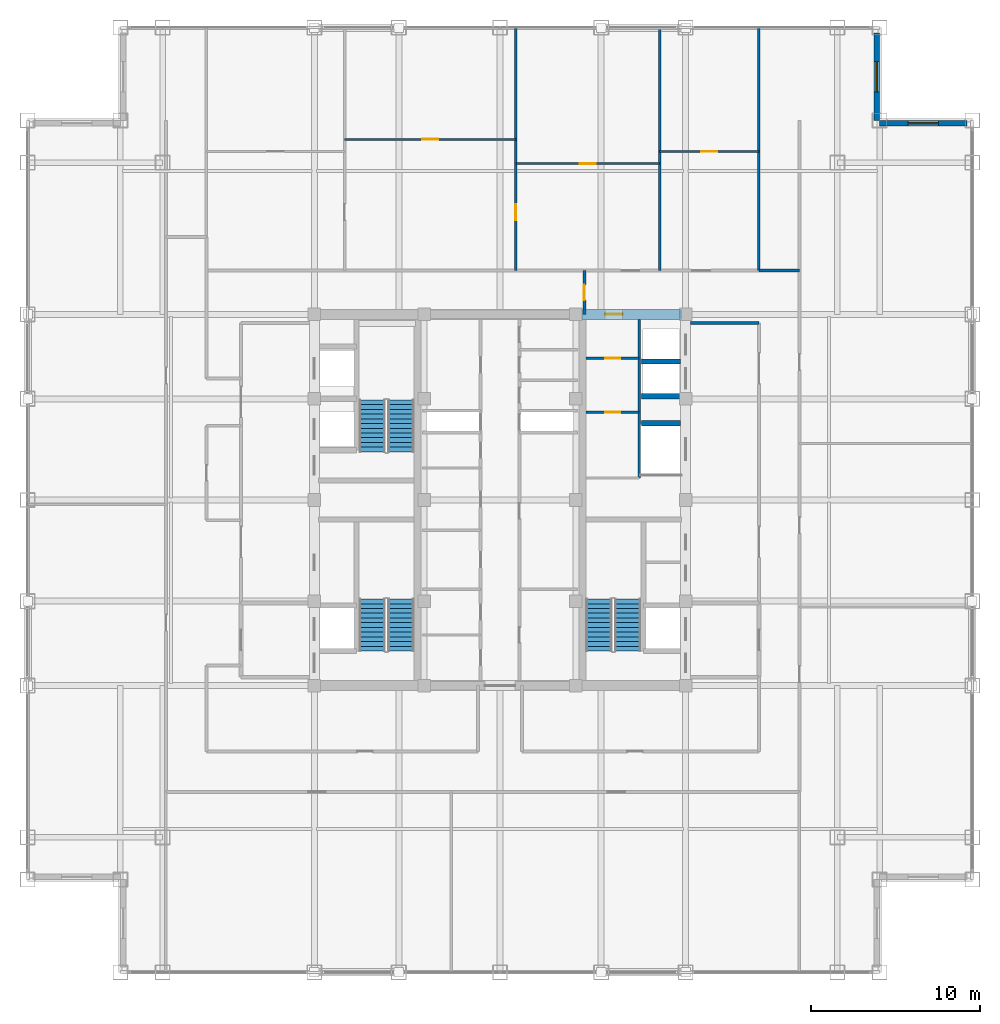
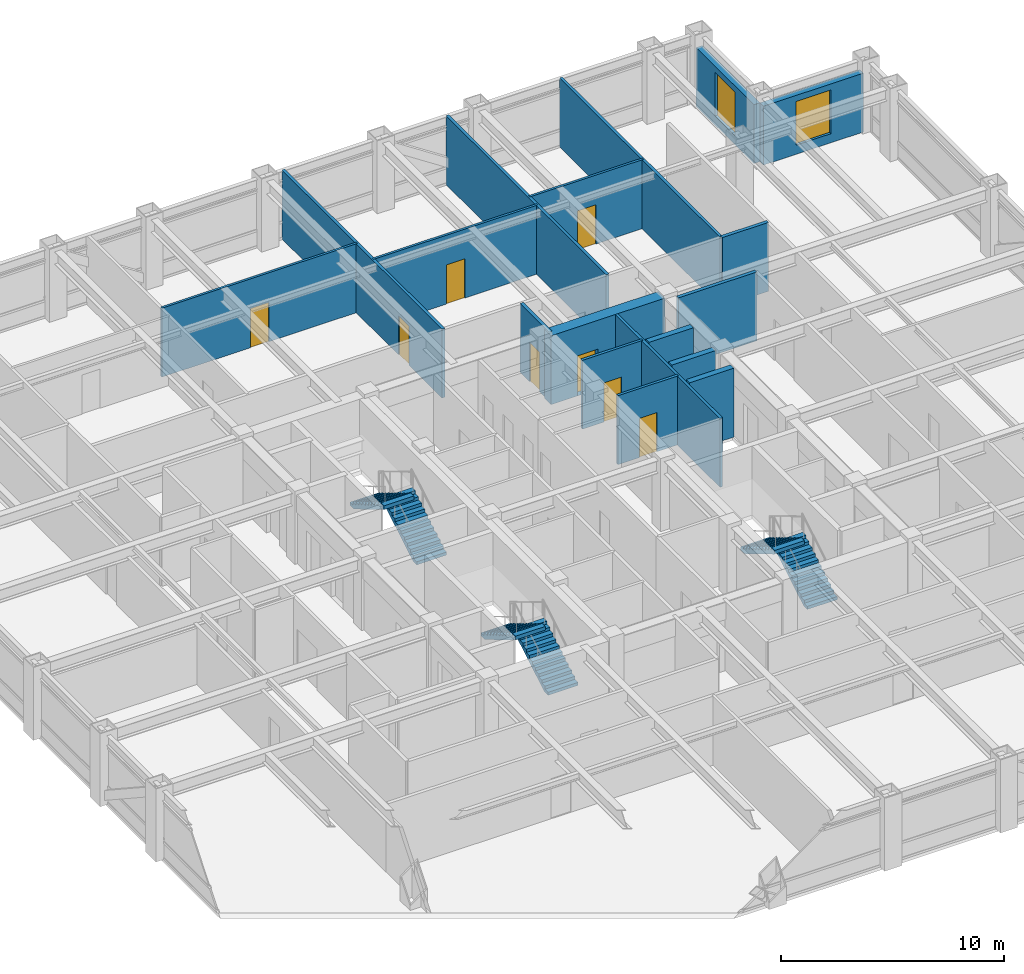
# One storey, part 21 of 22: 18 walls, 8 doors, 6 stair flights, 2 windows, 10 openings, 3 elements without a shape of their own.
"""IFC4 building model written with IfcOpenShell, lengths in metres."""

import ifcopenshell
import ifcopenshell.guid

model = None  # the IFC model being written
_history = None  # IfcOwnerHistory: only IFC2X3 demands one
_inside = {}  # id of a spatial element -> (the spatial element, [elements in it])
_under = {}  # id of a project, library or spatial element -> (it, [spatial elements below it])
_declared = {}  # id of a project -> (the project, [libraries it declares])
_typed = {}  # id of a type object -> (the type object, [elements of that type])
_made_of = {}  # id of a material, layer set ... -> (it, [elements and type objects made of it])


def new_model(schema):
    """Start an empty IFC model of exactly this schema.

    Asked for "IFC4X3", IfcOpenShell would pick the latest addendum, in which some entities
    have other attributes; the version numbers below select the first issue.
    IFC2X3 requires an IfcOwnerHistory on every rooted entity: one is made here for all.
    """
    global model, _history
    if schema == "IFC4X3":
        model = ifcopenshell.file(schema_version=(4, 3, 0, 0))
    else:
        model = ifcopenshell.file(schema=schema)
    _inside.clear()
    _under.clear()
    _declared.clear()
    _typed.clear()
    _made_of.clear()
    _history = None
    if model.schema == "IFC2X3":
        org = make("IfcOrganization", Name="unknown")
        user = make(
            "IfcPersonAndOrganization",
            ThePerson=make("IfcPerson", FamilyName="unknown"),
            TheOrganization=org,
        )
        app = make(
            "IfcApplication",
            ApplicationDeveloper=org,
            Version="unknown",
            ApplicationFullName="unknown",
            ApplicationIdentifier="unknown",
        )
        _history = make(
            "IfcOwnerHistory",
            OwningUser=user,
            OwningApplication=app,
            ChangeAction="ADDED",
            CreationDate=0,
        )
    return model


def make(cls, **values):
    """One entity of the class cls with the attributes given. An attribute that is None is left unset."""
    return model.create_entity(
        cls, **{name: value for name, value in values.items() if value is not None}
    )


def rooted(cls, **values):
    """An entity with a GlobalId (a new one), such as an element, a storey or a relation."""
    return make(cls, GlobalId=ifcopenshell.guid.new(), OwnerHistory=_history, **values)


def si_unit(unit_type, name, prefix=None):
    """IfcSIUnit, for example si_unit("LENGTHUNIT", "METRE", prefix="MILLI")."""
    return make("IfcSIUnit", UnitType=unit_type, Prefix=prefix, Name=name)


def assignment(units):
    """IfcUnitAssignment: the units of a project."""
    return None if units is None else make("IfcUnitAssignment", Units=units)


def point(xyz):
    """IfcCartesianPoint."""
    return None if xyz is None else make("IfcCartesianPoint", Coordinates=xyz)


def direction(xyz):
    """IfcDirection."""
    return None if xyz is None else make("IfcDirection", DirectionRatios=xyz)


def frame(location, z_axis=None, x_axis=None):
    """IfcAxis2Placement3D, a coordinate frame: its origin and axes. An axis left out is left unset."""
    return make(
        "IfcAxis2Placement3D",
        Location=point(location),
        Axis=direction(z_axis),
        RefDirection=direction(x_axis),
    )


def frame_2d(location, x_axis=None):
    """IfcAxis2Placement2D, a coordinate frame in the plane: its origin and x axis."""
    return make(
        "IfcAxis2Placement2D", Location=point(location), RefDirection=direction(x_axis)
    )


def origin():
    """The frame at (0, 0, 0) with its axes left unset."""
    return frame((0.0, 0.0, 0.0))


def place(relative_to, where):
    """IfcLocalPlacement: puts the frame where relative to a parent placement (None: the world)."""
    return make(
        "IfcLocalPlacement", PlacementRelTo=relative_to, RelativePlacement=where
    )


def context(
    kind, dimensions, precision=None, world=None, true_north=None, identifier=None
):
    """IfcGeometricRepresentationContext, for example the 3D "Model" context."""
    return make(
        "IfcGeometricRepresentationContext",
        ContextIdentifier=identifier,
        ContextType=kind,
        CoordinateSpaceDimension=dimensions,
        Precision=precision,
        WorldCoordinateSystem=world,
        TrueNorth=true_north,
    )


def subcontext(parent, identifier, kind, view, scale=None):
    """IfcGeometricRepresentationSubContext, for example "Body" below "Model"."""
    return make(
        "IfcGeometricRepresentationSubContext",
        ContextIdentifier=identifier,
        ContextType=kind,
        ParentContext=parent,
        TargetScale=scale,
        TargetView=view,
    )


def project(units=None, contexts=None):
    """IfcProject with its units and contexts."""
    return rooted(
        "IfcProject",
        Name="project",
        RepresentationContexts=contexts,
        UnitsInContext=assignment(units),
    )


def spatial(cls, under=None, at=None, **own):
    """A site, building, storey or space (cls), placed at a placement, below another one or the project."""
    s = rooted(cls, ObjectPlacement=at, **own)
    if under is not None:
        _under.setdefault(under.id(), (under, []))[1].append(s)
    return s


def polyline(points):
    """IfcPolyline through the points."""
    return make("IfcPolyline", Points=[point(p) for p in points])


def profile(cls, at=None, kind="AREA", **sizes):
    """A parametric profile (cls). Its sizes go by their IFC names, for example OverallWidth=200.0."""
    return make(cls, ProfileType=kind, Position=at, **sizes)


def rectangle(**sizes):
    """IfcRectangleProfileDef."""
    return profile("IfcRectangleProfileDef", **sizes)


def outline(outer, holes=None, kind="AREA"):
    """IfcArbitraryClosedProfileDef: a profile drawn as a closed curve; with holes, ...WithVoids."""
    if holes is None:
        return make("IfcArbitraryClosedProfileDef", ProfileType=kind, OuterCurve=outer)
    return make(
        "IfcArbitraryProfileDefWithVoids",
        ProfileType=kind,
        OuterCurve=outer,
        InnerCurves=holes,
    )


def extrude(swept, where, along, depth):
    """IfcExtrudedAreaSolid: the profile swept, set in the frame where, extruded along a direction by depth."""
    return make(
        "IfcExtrudedAreaSolid",
        SweptArea=swept,
        Position=where,
        ExtrudedDirection=direction(along),
        Depth=depth,
    )


def shape(context_of_items, identifier, shape_type, items):
    """IfcShapeRepresentation: the items that make up one representation, for example the "Body"."""
    return make(
        "IfcShapeRepresentation",
        ContextOfItems=context_of_items,
        RepresentationIdentifier=identifier,
        RepresentationType=shape_type,
        Items=items,
    )


def source(mapping_origin, context_of_items, identifier, shape_type, items):
    """IfcRepresentationMap: a shape defined once, which mapped items show again and again."""
    return make(
        "IfcRepresentationMap",
        MappingOrigin=mapping_origin,
        MappedRepresentation=shape(context_of_items, identifier, shape_type, items),
    )


def transform(
    local_origin,
    x_axis=None,
    y_axis=None,
    z_axis=None,
    scale=None,
    scale2=None,
    scale3=None,
    uniform=True,
):
    """IfcCartesianTransformationOperator3D, or its non-uniform kind. x_axis, y_axis, z_axis: its Axis1, 2, 3."""
    if uniform:
        return make(
            "IfcCartesianTransformationOperator3D",
            Axis1=direction(x_axis),
            Axis2=direction(y_axis),
            LocalOrigin=point(local_origin),
            Scale=scale,
            Axis3=direction(z_axis),
        )
    return make(
        "IfcCartesianTransformationOperator3DnonUniform",
        Axis1=direction(x_axis),
        Axis2=direction(y_axis),
        LocalOrigin=point(local_origin),
        Scale=scale,
        Axis3=direction(z_axis),
        Scale2=scale2,
        Scale3=scale3,
    )


def mapped(mapping_source, mapping_target):
    """IfcMappedItem: shows the shape of a source again, moved by a transform."""
    return make(
        "IfcMappedItem", MappingSource=mapping_source, MappingTarget=mapping_target
    )


def material(Name=None, Category=None):
    """IfcMaterial."""
    return make("IfcMaterial", Name=Name, Category=Category)


def layer(
    of_material, thickness, ventilated=None, Name=None, Category=None, Priority=None
):
    """IfcMaterialLayer: one layer of a wall or slab, of a material (None: an air gap)."""
    return make(
        "IfcMaterialLayer",
        Material=of_material,
        LayerThickness=thickness,
        IsVentilated=ventilated,
        Name=Name,
        Category=Category,
        Priority=Priority,
    )


def layer_set(layers, Name=None):
    """IfcMaterialLayerSet."""
    return make("IfcMaterialLayerSet", MaterialLayers=layers, LayerSetName=Name)


def made_of(thing, what):
    """Note that an element or type object is made of a material, layer set ...; save() writes the relation."""
    if what is not None:
        _made_of.setdefault(what.id(), (what, []))[1].append(thing)
    return thing


def type_object(cls, material=None, **own):
    """A type object (cls), such as IfcWallType, which elements share."""
    return made_of(rooted(cls, **own), material)


def element(
    cls,
    number,
    at=None,
    inside=None,
    cuts=None,
    type_object=None,
    material=None,
    context=None,
    identifier="Body",
    shape_type=None,
    held_by="IfcProductDefinitionShape",
    body=None,
    shapes=None,
    **own,
):
    """One element of the class cls, such as IfcWall. Its Tag is "e" and its number.

    at: its placement. inside: the storey or other place that contains it. cuts: it is an
    opening in that element (IfcRelVoidsElement). A single representation is given by context,
    identifier, shape_type and body (its items); several are given by shapes. held_by: the class
    of the entity that holds the representations. save() writes the other relations.
    """
    e = rooted(cls, Tag="e%d" % number, ObjectPlacement=at, **own)
    if body is not None:
        shapes = [shape(context, identifier, shape_type, body)]
    if shapes is not None:
        e.Representation = make(held_by, Representations=shapes)
    if inside is not None:
        _inside.setdefault(inside.id(), (inside, []))[1].append(e)
    if cuts is not None:
        rooted(
            "IfcRelVoidsElement", RelatingBuildingElement=cuts, RelatedOpeningElement=e
        )
    if type_object is not None:
        _typed.setdefault(type_object.id(), (type_object, []))[1].append(e)
    return made_of(e, material)


def fill(opening, filler):
    """IfcRelFillsElement: the door or window that sits in an opening."""
    return rooted(
        "IfcRelFillsElement",
        RelatingOpeningElement=opening,
        RelatedBuildingElement=filler,
    )


def aggregate(whole, parts):
    """IfcRelAggregates: a whole, such as a stair, and the parts it consists of."""
    return rooted("IfcRelAggregates", RelatingObject=whole, RelatedObjects=parts)


def save(model, path):
    """Write the relations noted so far, then the file.

    IfcRelAggregates (storeys below a building ...), IfcRelContainedInSpatialStructure (elements
    in a storey), IfcRelDefinesByType, IfcRelAssociatesMaterial and IfcRelDeclares: one each for
    every whole, place, type object, material and project.
    """
    for whole, parts in _under.values():
        aggregate(whole, parts)
    for where, things in _inside.values():
        rooted(
            "IfcRelContainedInSpatialStructure",
            RelatedElements=things,
            RelatingStructure=where,
        )
    for kind, things in _typed.values():
        rooted("IfcRelDefinesByType", RelatedObjects=things, RelatingType=kind)
    for what, things in _made_of.values():
        rooted("IfcRelAssociatesMaterial", RelatedObjects=things, RelatingMaterial=what)
    for by, libraries in _declared.values():
        rooted("IfcRelDeclares", RelatingContext=by, RelatedDefinitions=libraries)
    model.write(path)


model = new_model("IFC4")

# Units and contexts
model_context = context("Model", 3, precision=1e-05, world=origin(), true_north=direction((0.0, 1.0)))
body_context = subcontext(model_context, "Body", "Model", "MODEL_VIEW")
ifc_project = project(units=[si_unit("LENGTHUNIT", "METRE"), si_unit("AREAUNIT", "SQUARE_METRE"), si_unit("VOLUMEUNIT", "CUBIC_METRE"), si_unit("PLANEANGLEUNIT", "RADIAN"), si_unit("MASSUNIT", "GRAM", prefix="KILO")], contexts=[model_context])

# Site, building, storey
site_placement = place(None, origin())
site = spatial("IfcSite", under=ifc_project, at=site_placement, CompositionType="ELEMENT")
building_placement = place(site_placement, origin())
building = spatial("IfcBuilding", under=site, at=building_placement, Name="Khorayat Bourse Tower", CompositionType="ELEMENT")
storey_placement = place(building_placement, frame((0.0, 0.0, 309.5)))
storey = spatial("IfcBuildingStorey", under=building, at=storey_placement, Name="L73", CompositionType="ELEMENT", Elevation=309.5)

# Wall, opening, door
ifc_material_1 = material(Name="Concrete C60/75", Category="concrete")
ifc_layer_1 = layer(ifc_material_1, 0.60009765625)
ifc_layer_set_1 = layer_set([ifc_layer_1], Name="Concrete C60/75")
wall_type_1 = type_object("IfcWallType", Name="WAL-CORE-600", PredefinedType="SHEAR", material=ifc_layer_set_1)
shared_shape_1 = source(origin(), body_context, "Body", "SweptSolid", [
    extrude(rectangle(XDim=5.89990234375, YDim=0.60009765625, at=frame_2d((2.949951171875, 0.0))), origin(), (0.0, 0.0, 1.0), 3.780029296875),
])
wall_1_placement = place(storey_placement, frame((4.85009765625, 11.0, 0.0), z_axis=(0.0, 0.0, 1.0), x_axis=(1.0, 0.0, 0.0)))
wall_1 = element("IfcWall", 1, at=wall_1_placement, inside=storey, type_object=wall_type_1, Name="L73 Core Shear Wall PIER-EN", PredefinedType="SHEAR", context=body_context, shape_type="MappedRepresentation", body=[
    mapped(shared_shape_1, transform((0.0, 0.0, 0.0), scale=1.0)),
])
shared_shape_2 = source(origin(), body_context, "Body", "SweptSolid", [
    extrude(rectangle(XDim=1.050048828125, YDim=2.199951171875, at=frame_2d((0.52490234375, 1.10009765625))), frame((0.0, 0.31005859375, 0.0), z_axis=(0.0, -1.0, 0.0), x_axis=(1.0, 0.0, 0.0)), (0.0, 0.0, 1.0), 0.6201171875),
])
opening_1_placement = place(wall_1_placement, frame((1.375, 0.0, 0.0)))
opening_1 = element("IfcOpeningElement", 2, at=opening_1_placement, cuts=wall_1, Name="Opening DI-04", PredefinedType="OPENING", context=body_context, shape_type="MappedRepresentation", body=[
    mapped(shared_shape_2, transform((0.0, 0.0, 0.0), scale=1.0)),
])
ifc_material_2 = material(Name="Fire-rated oak veneer suite entrance door")
door_type_1 = type_object("IfcDoorType", Name="DR-INT-SUITE-1050", OperationType="NOTDEFINED", PredefinedType="DOOR", material=ifc_material_2)
shared_shape_3 = source(origin(), body_context, "Body", "SweptSolid", [
    extrude(rectangle(XDim=1.050048828125, YDim=2.199951171875, at=frame_2d((0.52490234375, 1.10009765625))), frame((0.0, 0.02490234375, 0.0), z_axis=(0.0, -1.0, 0.0), x_axis=(1.0, 0.0, 0.0)), (0.0, 0.0, 1.0), 0.050048828125),
])
door_1_placement = place(opening_1_placement, origin())
door_1 = element("IfcDoor", 3, at=door_1_placement, inside=storey, type_object=door_type_1, Name="L73 Core Washroom Lobby Door", OperationType="SINGLE_SWING_LEFT", OverallHeight=2.199951171875, OverallWidth=1.050048828125, PredefinedType="DOOR", context=body_context, shape_type="MappedRepresentation", body=[
    mapped(shared_shape_3, transform((0.0, 0.0, 0.0), scale=1.0)),
])
fill(opening_1, door_1)

# Wall, opening, window
ifc_material_3 = material(Name="Precast concrete C45/55", Category="concrete")
ifc_layer_2 = layer(ifc_material_3, 0.320068359375)
ifc_layer_set_2 = layer_set([ifc_layer_2], Name="Precast concrete C45/55")
wall_type_2 = type_object("IfcWallType", Name="WAL-EXT-STONE-320", PredefinedType="STANDARD", material=ifc_layer_set_2)
shared_shape_4 = source(origin(), body_context, "Body", "SweptSolid", [
    extrude(rectangle(XDim=5.179931640625, YDim=0.320068359375, at=frame_2d((2.58984375, 0.0))), origin(), (0.0, 0.0, 1.0), 3.23095703125),
])
wall_2_placement = place(storey_placement, frame((22.5, 22.340087890625, 0.0), z_axis=(0.0, 0.0, 1.0), x_axis=(1.0, 0.0, 0.0)))
wall_2 = element("IfcWall", 4, at=wall_2_placement, inside=storey, type_object=wall_type_2, Name="L73 Re-Entrant Notch Limestone Wall NE-H", PredefinedType="STANDARD", context=body_context, shape_type="MappedRepresentation", body=[
    mapped(shared_shape_4, transform((0.0, 0.0, 0.0), scale=1.0)),
])
shared_shape_5 = source(origin(), body_context, "Body", "SweptSolid", [
    extrude(rectangle(XDim=1.800048828125, YDim=2.39990234375, at=frame_2d((0.89990234375, 1.199951171875))), frame((0.0, 0.169921875, 0.0), z_axis=(0.0, -1.0, 0.0), x_axis=(1.0, 0.0, 0.0)), (0.0, 0.0, 1.0), 0.340087890625),
])
opening_2_placement = place(wall_2_placement, frame((1.68994140625, 0.0, 0.5)))
opening_2 = element("IfcOpeningElement", 5, at=opening_2_placement, cuts=wall_2, Name="Opening WN-04", PredefinedType="OPENING", context=body_context, shape_type="MappedRepresentation", body=[
    mapped(shared_shape_5, transform((0.0, 0.0, 0.0), scale=1.0)),
])
ifc_material_4 = material(Name="Low-E acoustic laminated double glazing", Category="glass")
window_type = type_object("IfcWindowType", Name="WIN-NOTCH-1800x2400", PartitioningType="SINGLE_PANEL", PredefinedType="WINDOW", material=ifc_material_4)
shared_shape_6 = source(origin(), body_context, "Body", "SweptSolid", [
    extrude(rectangle(XDim=1.800048828125, YDim=2.39990234375, at=frame_2d((0.89990234375, 1.199951171875))), frame((0.0, 0.030029296875, 0.0), z_axis=(0.0, -1.0, 0.0), x_axis=(1.0, 0.0, 0.0)), (0.0, 0.0, 1.0), 0.06005859375),
])
window_1_placement = place(opening_2_placement, origin())
window_1 = element("IfcWindow", 6, at=window_1_placement, inside=storey, type_object=window_type, Name="L73 Facade Window 1", OverallHeight=2.39990234375, OverallWidth=1.800048828125, PartitioningType="SINGLE_PANEL", PredefinedType="WINDOW", context=body_context, shape_type="MappedRepresentation", body=[
    mapped(shared_shape_6, transform((0.0, 0.0, 0.0), scale=1.0)),
])
fill(opening_2, window_1)

wall_3_placement = place(storey_placement, frame((22.340087890625, 22.5, 0.0), z_axis=(0.0, 0.0, 1.0), x_axis=(0.0, 1.0, 0.0)))
wall_3 = element("IfcWall", 7, at=wall_3_placement, inside=storey, type_object=wall_type_2, Name="L73 Re-Entrant Notch Limestone Wall NE-V", PredefinedType="STANDARD", context=body_context, shape_type="MappedRepresentation", body=[
    mapped(shared_shape_4, transform((0.0, 0.0, 0.0), scale=1.0)),
])
opening_3_placement = place(wall_3_placement, frame((1.68994140625, 0.0, 0.5)))
opening_3 = element("IfcOpeningElement", 8, at=opening_3_placement, cuts=wall_3, Name="Opening WN-04", PredefinedType="OPENING", context=body_context, shape_type="MappedRepresentation", body=[
    mapped(shared_shape_5, transform((0.0, 0.0, 0.0), scale=1.0)),
])
window_2_placement = place(opening_3_placement, origin())
window_2 = element("IfcWindow", 9, at=window_2_placement, inside=storey, type_object=window_type, Name="L73 Facade Window 1", OverallHeight=2.39990234375, OverallWidth=1.800048828125, PartitioningType="SINGLE_PANEL", PredefinedType="WINDOW", context=body_context, shape_type="MappedRepresentation", body=[
    mapped(shared_shape_6, transform((0.0, 0.0, 0.0), scale=1.0)),
])
fill(opening_3, window_2)

# Walls
ifc_material_5 = material(Name="Concrete C50/60", Category="concrete")
ifc_layer_3 = layer(ifc_material_5, 0.300048828125)
ifc_layer_set_3 = layer_set([ifc_layer_3], Name="Concrete C50/60")
wall_type_3 = type_object("IfcWallType", Name="WAL-SHAFT-300", PredefinedType="SHEAR", material=ifc_layer_set_3)
shared_shape_7 = source(origin(), body_context, "Body", "SweptSolid", [
    extrude(rectangle(XDim=2.300048828125, YDim=0.300048828125, at=frame_2d((1.14990234375, 0.0))), origin(), (0.0, 0.0, 1.0), 3.780029296875),
])
for number, where, z_axis, x_axis, name in (
    (10, (8.39990234375, 4.550048828125, 0.0), (0.0, 0.0, 1.0), (1.0, 0.0, 0.0), "L73 Partition WAL-L73-EPIER-SVLN"),
    (11, (8.39990234375, 6.14990234375, 0.0), (0.0, 0.0, 1.0), (1.0, 0.0, 0.0), "L73 Partition WAL-L73-EPIER-H3S"),
    (12, (8.39990234375, 8.199951171875, 0.0), (0.0, 0.0, 1.0), (1.0, 0.0, 0.0), "L73 Partition WAL-L73-EPIER-H34"),
):
    element("IfcWall", number, at=place(storey_placement, frame(where, z_axis=z_axis, x_axis=x_axis)), inside=storey, type_object=wall_type_3, Name=name, PredefinedType="SHEAR", context=body_context, shape_type="MappedRepresentation", body=[
        mapped(shared_shape_7, transform((0.0, 0.0, 0.0), scale=1.0)),
    ])
ifc_material_6 = material(Name="Moisture-resistant masonry partition", Category="masonry")
ifc_layer_4 = layer(ifc_material_6, 0.139892578125)
ifc_layer_set_4 = layer_set([ifc_layer_4], Name="Moisture-resistant masonry partition")
wall_type_4 = type_object("IfcWallType", Name="WAL-PART-WET-140", PredefinedType="PARTITIONING", material=ifc_layer_set_4)
shared_shape_8 = source(origin(), body_context, "Body", "SweptSolid", [
    extrude(rectangle(XDim=9.39990234375, YDim=0.139892578125, at=frame_2d((4.699951171875, 0.0))), origin(), (0.0, 0.0, 1.0), 3.780029296875),
])
wall_4_placement = place(storey_placement, frame((8.25, 1.300048828125, 0.0), z_axis=(0.0, 0.0, 1.0), x_axis=(0.0, 1.0, 0.0)))
element("IfcWall", 13, at=wall_4_placement, inside=storey, type_object=wall_type_4, Name="L73 Partition WAL-L73-ECORE-E", PredefinedType="PARTITIONING", context=body_context, shape_type="MappedRepresentation", body=[
    mapped(shared_shape_8, transform((0.0, 0.0, 0.0), scale=1.0)),
])

# Wall, opening, door
shared_shape_9 = source(origin(), body_context, "Body", "SweptSolid", [
    extrude(rectangle(XDim=3.14990234375, YDim=0.139892578125, at=frame_2d((1.574951171875, 0.0))), origin(), (0.0, 0.0, 1.0), 3.780029296875),
])
wall_5_placement = place(storey_placement, frame((5.10009765625, 8.39990234375, 0.0), z_axis=(0.0, 0.0, 1.0), x_axis=(1.0, 0.0, 0.0)))
wall_5 = element("IfcWall", 14, at=wall_5_placement, inside=storey, type_object=wall_type_4, Name="L73 Partition WAL-L73-ECW-TOP", PredefinedType="PARTITIONING", context=body_context, shape_type="MappedRepresentation", body=[
    mapped(shared_shape_9, transform((0.0, 0.0, 0.0), scale=1.0)),
])
shared_shape_10 = source(origin(), body_context, "Body", "SweptSolid", [
    extrude(rectangle(XDim=0.89990234375, YDim=2.14990234375, at=frame_2d((0.449951171875, 1.074951171875))), frame((0.0, 0.079833984375, 0.0), z_axis=(0.0, -1.0, 0.0), x_axis=(1.0, 0.0, 0.0)), (0.0, 0.0, 1.0), 0.159912109375),
])
opening_4_placement = place(wall_5_placement, frame((1.1298828125, 0.0, 0.0)))
opening_4 = element("IfcOpeningElement", 15, at=opening_4_placement, cuts=wall_5, Name="Opening DI-06", PredefinedType="OPENING", context=body_context, shape_type="MappedRepresentation", body=[
    mapped(shared_shape_10, transform((0.0, 0.0, 0.0), scale=1.0)),
])
ifc_material_7 = material(Name="Moisture-resistant laminate washroom door")
door_type_2 = type_object("IfcDoorType", Name="DR-INT-WC-900", OperationType="NOTDEFINED", PredefinedType="DOOR", material=ifc_material_7)
shared_shape_11 = source(origin(), body_context, "Body", "SweptSolid", [
    extrude(rectangle(XDim=0.89990234375, YDim=2.14990234375, at=frame_2d((0.449951171875, 1.074951171875))), frame((0.0, 0.02490234375, 0.0), z_axis=(0.0, -1.0, 0.0), x_axis=(1.0, 0.0, 0.0)), (0.0, 0.0, 1.0), 0.050048828125),
])
door_2_placement = place(opening_4_placement, origin())
door_2 = element("IfcDoor", 16, at=door_2_placement, inside=storey, type_object=door_type_2, Name="L73 Accessible WC Door", OperationType="SINGLE_SWING_LEFT", OverallHeight=2.14990234375, OverallWidth=0.89990234375, PredefinedType="DOOR", context=body_context, shape_type="MappedRepresentation", body=[
    mapped(shared_shape_11, transform((0.0, 0.0, 0.0), scale=1.0)),
])
fill(opening_4, door_2)

wall_6_placement = place(storey_placement, frame((5.10009765625, 5.199951171875, 0.0), z_axis=(0.0, 0.0, 1.0), x_axis=(1.0, 0.0, 0.0)))
wall_6 = element("IfcWall", 17, at=wall_6_placement, inside=storey, type_object=wall_type_4, Name="L73 Partition WAL-L73-ECW-HZ", PredefinedType="PARTITIONING", context=body_context, shape_type="MappedRepresentation", body=[
    mapped(shared_shape_9, transform((0.0, 0.0, 0.0), scale=1.0)),
])
opening_5_placement = place(wall_6_placement, frame((1.1298828125, 0.0, 0.0)))
opening_5 = element("IfcOpeningElement", 18, at=opening_5_placement, cuts=wall_6, Name="Opening DI-06", PredefinedType="OPENING", context=body_context, shape_type="MappedRepresentation", body=[
    mapped(shared_shape_10, transform((0.0, 0.0, 0.0), scale=1.0)),
])
door_3_placement = place(opening_5_placement, origin())
door_3 = element("IfcDoor", 19, at=door_3_placement, inside=storey, type_object=door_type_2, Name="L73 Shared Washroom Door", OperationType="SINGLE_SWING_RIGHT", OverallHeight=2.14990234375, OverallWidth=0.89990234375, PredefinedType="DOOR", context=body_context, shape_type="MappedRepresentation", body=[
    mapped(shared_shape_11, transform((0.0, 0.0, 0.0), scale=1.0)),
])
fill(opening_5, door_3)

# Wall
ifc_material_8 = material(Name="Gypsum plasterboard acoustic stud wall")
ifc_layer_5 = layer(ifc_material_8, 0.179931640625)
ifc_layer_set_5 = layer_set([ifc_layer_5], Name="Gypsum plasterboard acoustic stud wall")
wall_type_5 = type_object("IfcWallType", Name="WAL-PART-CORR-180", PredefinedType="PARTITIONING", material=ifc_layer_set_5)
shared_shape_12 = source(origin(), body_context, "Body", "SweptSolid", [
    extrude(rectangle(XDim=4.050048828125, YDim=0.179931640625, at=frame_2d((2.02490234375, 0.0))), origin(), (0.0, 0.0, 1.0), 3.780029296875),
])
wall_7_placement = place(storey_placement, frame((11.300048828125, 10.5, 0.0), z_axis=(0.0, 0.0, 1.0), x_axis=(1.0, 0.0, 0.0)))
element("IfcWall", 20, at=wall_7_placement, inside=storey, type_object=wall_type_5, Name="L73 Partition WAL-L73-ELOB-N", PredefinedType="PARTITIONING", context=body_context, shape_type="MappedRepresentation", body=[
    mapped(shared_shape_12, transform((0.0, 0.0, 0.0), scale=1.0)),
])

# Wall, opening, door
shared_shape_13 = source(origin(), body_context, "Body", "SweptSolid", [
    extrude(rectangle(XDim=2.60009765625, YDim=0.179931640625, at=frame_2d((1.300048828125, 0.0))), origin(), (0.0, 0.0, 1.0), 3.780029296875),
])
wall_8_placement = place(storey_placement, frame((5.0, 11.0, 0.0), z_axis=(0.0, 0.0, 1.0), x_axis=(0.0, 1.0, 0.0)))
wall_8 = element("IfcWall", 21, at=wall_8_placement, inside=storey, type_object=wall_type_5, Name="L73 Partition WAL-L73-CORRNE-W", PredefinedType="PARTITIONING", context=body_context, shape_type="MappedRepresentation", body=[
    mapped(shared_shape_13, transform((0.0, 0.0, 0.0), scale=1.0)),
])
shared_shape_14 = source(origin(), body_context, "Body", "SweptSolid", [
    extrude(rectangle(XDim=0.89990234375, YDim=2.14990234375, at=frame_2d((0.449951171875, 1.074951171875))), frame((0.0, 0.099853515625, 0.0), z_axis=(0.0, -1.0, 0.0), x_axis=(1.0, 0.0, 0.0)), (0.0, 0.0, 1.0), 0.199951171875),
])
opening_6_placement = place(wall_8_placement, frame((0.85009765625, 0.0, 0.0)))
opening_6 = element("IfcOpeningElement", 22, at=opening_6_placement, cuts=wall_8, Name="Opening DI-06", PredefinedType="OPENING", context=body_context, shape_type="MappedRepresentation", body=[
    mapped(shared_shape_14, transform((0.0, 0.0, 0.0), scale=1.0)),
])
door_4_placement = place(opening_6_placement, origin())
door_4 = element("IfcDoor", 23, at=door_4_placement, inside=storey, type_object=door_type_2, Name="L73 North Core Pantry Door", OperationType="SINGLE_SWING_LEFT", OverallHeight=2.14990234375, OverallWidth=0.89990234375, PredefinedType="DOOR", context=body_context, shape_type="MappedRepresentation", body=[
    mapped(shared_shape_11, transform((0.0, 0.0, 0.0), scale=1.0)),
])
fill(opening_6, door_4)

# Wall
shared_shape_15 = source(origin(), body_context, "Body", "SweptSolid", [
    extrude(rectangle(XDim=2.39990234375, YDim=0.179931640625, at=frame_2d((1.199951171875, 0.0))), origin(), (0.0, 0.0, 1.0), 3.780029296875),
])
wall_9_placement = place(storey_placement, frame((15.35009765625, 13.60009765625, 0.0), z_axis=(0.0, 0.0, 1.0), x_axis=(1.0, 0.0, 0.0)))
element("IfcWall", 24, at=wall_9_placement, inside=storey, type_object=wall_type_5, Name="L73 Partition WAL-L73-GALE-N", PredefinedType="PARTITIONING", context=body_context, shape_type="MappedRepresentation", body=[
    mapped(shared_shape_15, transform((0.0, 0.0, 0.0), scale=1.0)),
])

# Wall, opening, door
ifc_material_9 = material(Name="Gypsum plasterboard twin-frame partition")
ifc_layer_6 = layer(ifc_material_9, 0.14990234375)
ifc_layer_set_6 = layer_set([ifc_layer_6], Name="Gypsum plasterboard twin-frame partition")
wall_type_6 = type_object("IfcWallType", Name="WAL-PART-SUITE-150", PredefinedType="PARTITIONING", material=ifc_layer_set_6)
shared_shape_16 = source(origin(), body_context, "Body", "SweptSolid", [
    extrude(rectangle(XDim=14.39990234375, YDim=0.14990234375, at=frame_2d((7.199951171875, 0.0))), origin(), (0.0, 0.0, 1.0), 3.780029296875),
])
wall_10_placement = place(storey_placement, frame((0.93994140625, 13.60009765625, 0.0), z_axis=(0.0, 0.0, 1.0), x_axis=(0.0, 1.0, 0.0)))
wall_10 = element("IfcWall", 25, at=wall_10_placement, inside=storey, type_object=wall_type_6, Name="L73 Partition WAL-L73-NDV-2", PredefinedType="PARTITIONING", context=body_context, shape_type="MappedRepresentation", body=[
    mapped(shared_shape_16, transform((0.0, 0.0, 0.0), scale=1.0)),
])
shared_shape_17 = source(origin(), body_context, "Body", "SweptSolid", [
    extrude(rectangle(XDim=0.949951171875, YDim=2.14990234375, at=frame_2d((0.47509765625, 1.074951171875))), frame((0.0, 0.0849609375, 0.0), z_axis=(0.0, -1.0, 0.0), x_axis=(1.0, 0.0, 0.0)), (0.0, 0.0, 1.0), 0.169921875),
])
opening_7_placement = place(wall_10_placement, frame((2.98095703125, 0.0, 0.0)))
opening_7 = element("IfcOpeningElement", 26, at=opening_7_placement, cuts=wall_10, Name="Opening DI-05", PredefinedType="OPENING", context=body_context, shape_type="MappedRepresentation", body=[
    mapped(shared_shape_17, transform((0.0, 0.0, 0.0), scale=1.0)),
])
ifc_material_10 = material(Name="Acoustic oak veneer office door")
door_type_3 = type_object("IfcDoorType", Name="DR-INT-OFFICE-950", OperationType="NOTDEFINED", PredefinedType="DOOR", material=ifc_material_10)
shared_shape_18 = source(origin(), body_context, "Body", "SweptSolid", [
    extrude(rectangle(XDim=0.949951171875, YDim=2.14990234375, at=frame_2d((0.47509765625, 1.074951171875))), frame((0.0, 0.02490234375, 0.0), z_axis=(0.0, -1.0, 0.0), x_axis=(1.0, 0.0, 0.0)), (0.0, 0.0, 1.0), 0.050048828125),
])
door_5_placement = place(opening_7_placement, origin())
door_5 = element("IfcDoor", 27, at=door_5_placement, inside=storey, type_object=door_type_3, Name="L73 N Suite Link 2", OperationType="SINGLE_SWING_LEFT", OverallHeight=2.14990234375, OverallWidth=0.949951171875, PredefinedType="DOOR", context=body_context, shape_type="MappedRepresentation", body=[
    mapped(shared_shape_18, transform((0.0, 0.0, 0.0), scale=1.0)),
])
fill(opening_7, door_5)

# Walls
for number, where, z_axis, x_axis, name in (
    (28, (9.455078125, 13.60009765625, 0.0), (0.0, 0.0, 1.0), (0.0, 1.0, 0.0), "L73 Partition WAL-L73-NDV-3"),
    (29, (15.35009765625, 13.60009765625, 0.0), (0.0, 0.0, 1.0), (0.0, 1.0, 0.0), "L73 Partition WAL-L73-NCE-END"),
):
    element("IfcWall", number, at=place(storey_placement, frame(where, z_axis=z_axis, x_axis=x_axis)), inside=storey, type_object=wall_type_6, Name=name, PredefinedType="PARTITIONING", context=body_context, shape_type="MappedRepresentation", body=[
        mapped(shared_shape_16, transform((0.0, 0.0, 0.0), scale=1.0)),
    ])

# Wall, opening, door
ifc_material_11 = material(Name="Gypsum plasterboard partition")
ifc_layer_7 = layer(ifc_material_11, 0.125)
ifc_layer_set_7 = layer_set([ifc_layer_7], Name="Gypsum plasterboard partition")
wall_type_7 = type_object("IfcWallType", Name="WAL-PART-ROOM-125", PredefinedType="PARTITIONING", material=ifc_layer_set_7)
shared_shape_19 = source(origin(), body_context, "Body", "SweptSolid", [
    extrude(rectangle(XDim=10.15234375, YDim=0.125, at=frame_2d((5.076171875, 0.0))), origin(), (0.0, 0.0, 1.0), 3.780029296875),
])
wall_11_placement = place(storey_placement, frame((-9.21240234375, 21.3759765625, 0.0), z_axis=(0.0, 0.0, 1.0), x_axis=(1.0, 0.0, 0.0)))
wall_11 = element("IfcWall", 30, at=wall_11_placement, inside=storey, type_object=wall_type_7, Name="L73 Partition WAL-L73-NDP-2", PredefinedType="PARTITIONING", context=body_context, shape_type="MappedRepresentation", body=[
    mapped(shared_shape_19, transform((0.0, 0.0, 0.0), scale=1.0)),
])
shared_shape_20 = source(origin(), body_context, "Body", "SweptSolid", [
    extrude(rectangle(XDim=0.949951171875, YDim=2.14990234375, at=frame_2d((0.47509765625, 1.074951171875))), frame((0.0, 0.072509765625, 0.0), z_axis=(0.0, -1.0, 0.0), x_axis=(1.0, 0.0, 0.0)), (0.0, 0.0, 1.0), 0.14501953125),
])
opening_8_placement = place(wall_11_placement, frame((4.601318359375, 0.0, 0.0)))
opening_8 = element("IfcOpeningElement", 31, at=opening_8_placement, cuts=wall_11, Name="Opening DI-05", PredefinedType="OPENING", context=body_context, shape_type="MappedRepresentation", body=[
    mapped(shared_shape_20, transform((0.0, 0.0, 0.0), scale=1.0)),
])
door_6_placement = place(opening_8_placement, origin())
door_6 = element("IfcDoor", 32, at=door_6_placement, inside=storey, type_object=door_type_3, Name="L73 Members Dining Room N2B Door", OperationType="SINGLE_SWING_LEFT", OverallHeight=2.14990234375, OverallWidth=0.949951171875, PredefinedType="DOOR", context=body_context, shape_type="MappedRepresentation", body=[
    mapped(shared_shape_18, transform((0.0, 0.0, 0.0), scale=1.0)),
])
fill(opening_8, door_6)

shared_shape_21 = source(origin(), body_context, "Body", "SweptSolid", [
    extrude(rectangle(XDim=8.51513671875, YDim=0.125, at=frame_2d((4.257568359375, 0.0))), origin(), (0.0, 0.0, 1.0), 3.780029296875),
])
wall_12_placement = place(storey_placement, frame((0.93994140625, 19.93603515625, 0.0), z_axis=(0.0, 0.0, 1.0), x_axis=(1.0, 0.0, 0.0)))
wall_12 = element("IfcWall", 33, at=wall_12_placement, inside=storey, type_object=wall_type_7, Name="L73 Partition WAL-L73-NDP-3", PredefinedType="PARTITIONING", context=body_context, shape_type="MappedRepresentation", body=[
    mapped(shared_shape_21, transform((0.0, 0.0, 0.0), scale=1.0)),
])
opening_9_placement = place(wall_12_placement, frame((3.782470703125, 0.0, 0.0)))
opening_9 = element("IfcOpeningElement", 34, at=opening_9_placement, cuts=wall_12, Name="Opening DI-05", PredefinedType="OPENING", context=body_context, shape_type="MappedRepresentation", body=[
    mapped(shared_shape_20, transform((0.0, 0.0, 0.0), scale=1.0)),
])
door_7_placement = place(opening_9_placement, origin())
door_7 = element("IfcDoor", 35, at=door_7_placement, inside=storey, type_object=door_type_3, Name="L73 Clearing Records Archive Store N3B Door", OperationType="SINGLE_SWING_RIGHT", OverallHeight=2.14990234375, OverallWidth=0.949951171875, PredefinedType="DOOR", context=body_context, shape_type="MappedRepresentation", body=[
    mapped(shared_shape_18, transform((0.0, 0.0, 0.0), scale=1.0)),
])
fill(opening_9, door_7)

shared_shape_22 = source(origin(), body_context, "Body", "SweptSolid", [
    extrude(rectangle(XDim=5.89501953125, YDim=0.125, at=frame_2d((2.947509765625, 0.0))), origin(), (0.0, 0.0, 1.0), 3.780029296875),
])
wall_13_placement = place(storey_placement, frame((9.455078125, 20.656005859375, 0.0), z_axis=(0.0, 0.0, 1.0), x_axis=(1.0, 0.0, 0.0)))
wall_13 = element("IfcWall", 36, at=wall_13_placement, inside=storey, type_object=wall_type_7, Name="L73 Partition WAL-L73-NDP-4", PredefinedType="PARTITIONING", context=body_context, shape_type="MappedRepresentation", body=[
    mapped(shared_shape_22, transform((0.0, 0.0, 0.0), scale=1.0)),
])
opening_10_placement = place(wall_13_placement, frame((2.472412109375, 0.0, 0.0)))
opening_10 = element("IfcOpeningElement", 37, at=opening_10_placement, cuts=wall_13, Name="Opening DI-05", PredefinedType="OPENING", context=body_context, shape_type="MappedRepresentation", body=[
    mapped(shared_shape_20, transform((0.0, 0.0, 0.0), scale=1.0)),
])
door_8_placement = place(opening_10_placement, origin())
door_8 = element("IfcDoor", 38, at=door_8_placement, inside=storey, type_object=door_type_3, Name="L73 Occupational First Aid Clinic N4B Door", OperationType="SINGLE_SWING_LEFT", OverallHeight=2.14990234375, OverallWidth=0.949951171875, PredefinedType="DOOR", context=body_context, shape_type="MappedRepresentation", body=[
    mapped(shared_shape_18, transform((0.0, 0.0, 0.0), scale=1.0)),
])
fill(opening_10, door_8)

# Stair, stair flights
ifc_material_12 = material(Name="Concrete C40/50", Category="concrete")
stair_type = type_object("IfcStairType", Name="STR-CORE-1550", PredefinedType="HALF_TURN_STAIR", material=ifc_material_12)
stair_1_placement = place(storey_placement, origin())
stair_1 = element("IfcStair", 39, at=stair_1_placement, inside=storey, type_object=stair_type, Name="L73 Exit Stair ST-1", PredefinedType="HALF_TURN_STAIR")
stair_flight_type = type_object("IfcStairFlightType", Name="FLT-CORE-1550", PredefinedType="STRAIGHT", material=ifc_material_12)
shared_shape_23 = source(origin(), body_context, "Body", "SweptSolid", [
    extrude(outline(polyline([(0.0, 0.0), (0.0, 0.166748046875), (0.280029296875, 0.166748046875), (0.280029296875, 0.333251953125), (0.56005859375, 0.333251953125), (0.56005859375, 0.5), (0.840087890625, 0.5), (0.840087890625, 0.666748046875), (1.1201171875, 0.666748046875), (1.1201171875, 0.833251953125), (1.39990234375, 0.833251953125), (1.39990234375, 1.0), (1.679931640625, 1.0), (1.679931640625, 1.166748046875), (1.9599609375, 1.166748046875), (1.9599609375, 1.333251953125), (2.239990234375, 1.333251953125), (2.239990234375, 1.5), (2.52001953125, 1.5), (2.52001953125, 1.666748046875), (2.800048828125, 1.666748046875), (2.800048828125, 1.833251953125), (3.080078125, 1.833251953125), (3.080078125, 2.0), (3.080078125, 1.6240234375), (0.351806640625, 0.0), (0.0, 0.0)])), frame((0.0, 0.77490234375, 0.0), z_axis=(0.0, -1.0, 0.0), x_axis=(1.0, 0.0, 0.0)), (0.0, 0.0, 1.0), 1.550048828125),
])
stair_flight_1_placement = place(storey_placement, frame((-5.875, -8.949951171875, 0.0), z_axis=(0.0, 0.0, 1.0), x_axis=(0.0, 1.0, 0.0)))
stair_flight_1 = element("IfcStairFlight", 40, at=stair_flight_1_placement, type_object=stair_flight_type, Name="ST-1 flight 1", NumberOfRisers=12, NumberOfTreads=11, PredefinedType="STRAIGHT", RiserHeight=0.166666667, TreadLength=0.28, context=body_context, shape_type="MappedRepresentation", body=[
    mapped(shared_shape_23, transform((0.0, 0.0, 0.0), scale=1.0)),
])
stair_flight_2_placement = place(storey_placement, frame((-7.574951171875, -5.8701171875, 2.0), z_axis=(0.0, 0.0, 1.0), x_axis=(0.0, -1.0, 0.0)))
stair_flight_2 = element("IfcStairFlight", 41, at=stair_flight_2_placement, type_object=stair_flight_type, Name="ST-1 flight 2", NumberOfRisers=12, NumberOfTreads=11, PredefinedType="STRAIGHT", RiserHeight=0.166666667, TreadLength=0.28, context=body_context, shape_type="MappedRepresentation", body=[
    mapped(shared_shape_23, transform((0.0, 0.0, 0.0), scale=1.0)),
])
aggregate(stair_1, [stair_flight_1, stair_flight_2])

stair_2_placement = place(storey_placement, origin())
stair_2 = element("IfcStair", 42, at=stair_2_placement, inside=storey, type_object=stair_type, Name="L73 Exit Stair ST-2", PredefinedType="HALF_TURN_STAIR")
stair_flight_3_placement = place(storey_placement, frame((-5.875, 2.85009765625, 0.0), z_axis=(0.0, 0.0, 1.0), x_axis=(0.0, 1.0, 0.0)))
stair_flight_3 = element("IfcStairFlight", 43, at=stair_flight_3_placement, type_object=stair_flight_type, Name="ST-2 flight 1", NumberOfRisers=12, NumberOfTreads=11, PredefinedType="STRAIGHT", RiserHeight=0.166666667, TreadLength=0.28, context=body_context, shape_type="MappedRepresentation", body=[
    mapped(shared_shape_23, transform((0.0, 0.0, 0.0), scale=1.0)),
])
stair_flight_4_placement = place(storey_placement, frame((-7.574951171875, 5.929931640625, 2.0), z_axis=(0.0, 0.0, 1.0), x_axis=(0.0, -1.0, 0.0)))
stair_flight_4 = element("IfcStairFlight", 44, at=stair_flight_4_placement, type_object=stair_flight_type, Name="ST-2 flight 2", NumberOfRisers=12, NumberOfTreads=11, PredefinedType="STRAIGHT", RiserHeight=0.166666667, TreadLength=0.28, context=body_context, shape_type="MappedRepresentation", body=[
    mapped(shared_shape_23, transform((0.0, 0.0, 0.0), scale=1.0)),
])
aggregate(stair_2, [stair_flight_3, stair_flight_4])

stair_3_placement = place(storey_placement, origin())
stair_3 = element("IfcStair", 45, at=stair_3_placement, inside=storey, type_object=stair_type, Name="L73 Exit Stair ST-3", PredefinedType="HALF_TURN_STAIR")
stair_flight_5_placement = place(storey_placement, frame((7.574951171875, -8.949951171875, 0.0), z_axis=(0.0, 0.0, 1.0), x_axis=(0.0, 1.0, 0.0)))
stair_flight_5 = element("IfcStairFlight", 46, at=stair_flight_5_placement, type_object=stair_flight_type, Name="ST-3 flight 1", NumberOfRisers=12, NumberOfTreads=11, PredefinedType="STRAIGHT", RiserHeight=0.166666667, TreadLength=0.28, context=body_context, shape_type="MappedRepresentation", body=[
    mapped(shared_shape_23, transform((0.0, 0.0, 0.0), scale=1.0)),
])
stair_flight_6_placement = place(storey_placement, frame((5.875, -5.8701171875, 2.0), z_axis=(0.0, 0.0, 1.0), x_axis=(0.0, -1.0, 0.0)))
stair_flight_6 = element("IfcStairFlight", 47, at=stair_flight_6_placement, type_object=stair_flight_type, Name="ST-3 flight 2", NumberOfRisers=12, NumberOfTreads=11, PredefinedType="STRAIGHT", RiserHeight=0.166666667, TreadLength=0.28, context=body_context, shape_type="MappedRepresentation", body=[
    mapped(shared_shape_23, transform((0.0, 0.0, 0.0), scale=1.0)),
])
aggregate(stair_3, [stair_flight_5, stair_flight_6])

save(model, "model.ifc")
